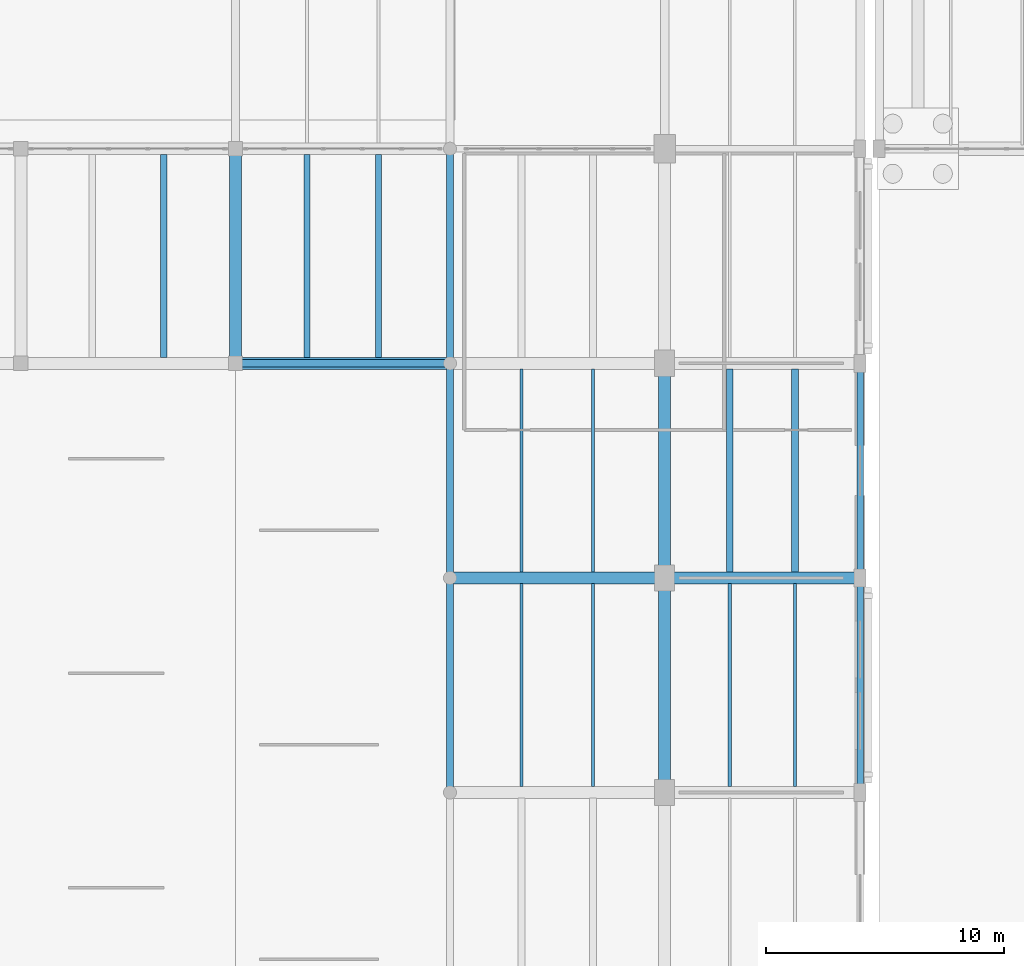
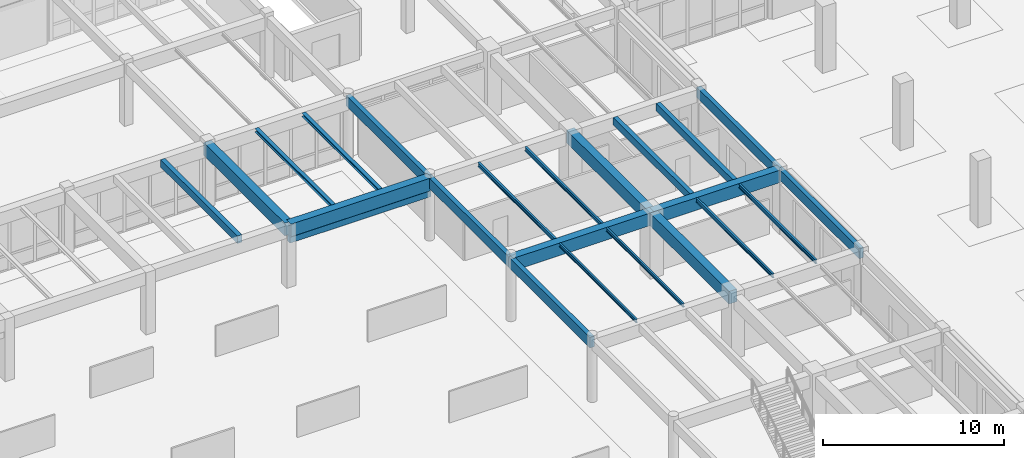
# One storey, part 85 of 186: 23 beams.
"""IFC4 building model written with IfcOpenShell, lengths in metres."""

from ifc_helpers import new_model, si_unit, direction, frame, origin, origin_2d, place, context, subcontext, project, spatial, rectangle, i_section, extrude, material, material_profile, profile_set, type_object, element, save


model = new_model("IFC4")

# Units and contexts
model_context = context("Model", 3, precision=1e-05, world=origin(), true_north=direction((0.0, 1.0)))
body_context = subcontext(model_context, "Body", "Model", "MODEL_VIEW")
ifc_project = project(units=[si_unit("LENGTHUNIT", "METRE"), si_unit("AREAUNIT", "SQUARE_METRE"), si_unit("VOLUMEUNIT", "CUBIC_METRE"), si_unit("PLANEANGLEUNIT", "RADIAN"), si_unit("MASSUNIT", "GRAM", prefix="KILO")], contexts=[model_context])

# Site, building, storey
site_placement = place(None, origin())
site = spatial("IfcSite", under=ifc_project, at=site_placement, CompositionType="ELEMENT")
building_placement = place(site_placement, origin())
building = spatial("IfcBuilding", under=site, at=building_placement, Name="Ornek Quay Market", CompositionType="ELEMENT")
storey_placement = place(building_placement, origin())
storey = spatial("IfcBuildingStorey", under=building, at=storey_placement, Name="L00", CompositionType="ELEMENT", Elevation=0.0)

# Beams
ifc_material_1 = material(Name="Concrete C40/50", Category="concrete")
ifc_material_profile_1 = material_profile(ifc_material_1, rectangle(XDim=0.5, YDim=0.85009765625, at=origin_2d()), Name="RC 500x850", Category="concrete")
ifc_profile_set_1 = profile_set([ifc_material_profile_1], Name="Concrete C40/50")
beam_type_1 = type_object("IfcBeamType", Name="BM-GAL-500x850", PredefinedType="BEAM", material=ifc_profile_set_1)
beam_1_placement = place(storey_placement, frame((108.0, 74.0, 3.81494140625), z_axis=(1.0, 0.0, 0.0), x_axis=(0.0, 1.0, 0.0)))
element("IfcBeam", 1, at=beam_1_placement, inside=storey, type_object=beam_type_1, Name="Primary beam B-GL1-036", PredefinedType="BEAM", context=body_context, shape_type="SweptSolid", body=[
    extrude(rectangle(XDim=0.5, YDim=0.85009765625, at=origin_2d()), origin(), (0.0, 0.0, 1.0), 9.0),
])
beam_2_placement = place(storey_placement, frame((117.0, 74.0, 3.81494140625), z_axis=(1.0, 0.0, 0.0), x_axis=(0.0, 1.0, 0.0)))
element("IfcBeam", 2, at=beam_2_placement, inside=storey, type_object=beam_type_1, Name="Primary beam B-GL1-037", PredefinedType="BEAM", context=body_context, shape_type="SweptSolid", body=[
    extrude(rectangle(XDim=0.5, YDim=0.85009765625, at=origin_2d()), origin(), (0.0, 0.0, 1.0), 8.199951171875),
])
for number, where, z_axis, x_axis, name in (
    (3, (117.0, 65.0, 3.81494140625), (0.0, 1.0, 0.0), (-1.0, 0.0, 0.0), "Primary beam B-GL1-044"),
    (4, (117.0, 74.0, 3.81494140625), (0.0, 1.0, 0.0), (-1.0, 0.0, 0.0), "Primary beam B-GL1-045"),
    (5, (99.0, 83.0, 3.81494140625), (1.0, 0.0, 0.0), (0.0, 1.0, 0.0), "Primary beam B-GL1-050"),
    (6, (99.0, 83.0, 3.81494140625), (0.0, 1.0, 0.0), (-1.0, 0.0, 0.0), "Primary beam B-GL1-057"),
):
    element("IfcBeam", number, at=place(storey_placement, frame(where, z_axis=z_axis, x_axis=x_axis)), inside=storey, type_object=beam_type_1, Name=name, PredefinedType="BEAM", context=body_context, shape_type="SweptSolid", body=[
        extrude(rectangle(XDim=0.5, YDim=0.85009765625, at=origin_2d()), origin(), (0.0, 0.0, 1.0), 9.0),
    ])
ifc_material_2 = material(Name="Precast concrete C40/50", Category="concrete")
ifc_material_profile_2 = material_profile(ifc_material_2, rectangle(XDim=0.300048828125, YDim=0.39990234375, at=origin_2d()), Name="RC 300x400", Category="concrete")
ifc_profile_set_2 = profile_set([ifc_material_profile_2], Name="Precast concrete C40/50")
beam_type_2 = type_object("IfcBeamType", Name="BM-LNT-300x400", PredefinedType="LINTEL", material=ifc_profile_set_2)
beam_3_placement = place(storey_placement, frame((99.0, 83.0, 3.10009765625), z_axis=(1.0, 0.0, 0.0), x_axis=(0.0, 1.0, 0.0)))
element("IfcBeam", 7, at=beam_3_placement, inside=storey, type_object=beam_type_2, Name="Market portal lintel LN-02", PredefinedType="LINTEL", context=body_context, shape_type="SweptSolid", body=[
    extrude(rectangle(XDim=0.300048828125, YDim=0.39990234375, at=origin_2d()), origin(), (0.0, 0.0, 1.0), 9.0),
])
ifc_material_3 = material(Name="Concrete C35/45", Category="concrete")
ifc_material_profile_3 = material_profile(ifc_material_3, rectangle(XDim=0.280029296875, YDim=0.5, at=origin_2d()), Name="RC 280x500", Category="concrete")
ifc_profile_set_3 = profile_set([ifc_material_profile_3], Name="Concrete C35/45")
beam_type_3 = type_object("IfcBeamType", Name="BM-SEC-280x500", PredefinedType="JOIST", material=ifc_profile_set_3)
for number, where, z_axis, x_axis, name in (
    (8, (119.7333984375, 74.241943359375, 3.989990234375), (0.0, 1.0, 0.0), (-1.0, 0.0, 0.0), "Secondary joist B-SC2-055"),
    (9, (122.466796875, 74.241943359375, 3.989990234375), (0.0, 1.0, 0.0), (-1.0, 0.0, 0.0), "Secondary joist B-SC2-056"),
    (10, (96.0, 83.241943359375, 3.989990234375), (0.0, 1.0, 0.0), (-1.0, 0.0, 0.0), "Secondary joist B-SC2-060"),
):
    element("IfcBeam", number, at=place(storey_placement, frame(where, z_axis=z_axis, x_axis=x_axis)), inside=storey, type_object=beam_type_3, Name=name, PredefinedType="JOIST", context=body_context, shape_type="SweptSolid", body=[
        extrude(rectangle(XDim=0.280029296875, YDim=0.5, at=origin_2d()), origin(), (0.0, 0.0, 1.0), 8.51611328125),
    ])
ifc_material_profile_4 = material_profile(ifc_material_3, rectangle(XDim=0.280029296875, YDim=0.699951171875, at=origin_2d()), Name="RC 280x700", Category="concrete")
ifc_profile_set_4 = profile_set([ifc_material_profile_4], Name="Concrete C35/45")
beam_type_4 = type_object("IfcBeamType", Name="BM-SPN-280x700", PredefinedType="SPANDREL", material=ifc_profile_set_4)
for number, where, z_axis, x_axis, name in (
    (11, (108.0, 65.0, 3.889892578125), (0.0, 1.0, 0.0), (-1.0, 0.0, 0.0), "Primary beam B-SP2-039"),
    (12, (108.0, 74.0, 3.889892578125), (0.0, 1.0, 0.0), (-1.0, 0.0, 0.0), "Primary beam B-SP2-040"),
    (13, (108.0, 83.0, 3.889892578125), (0.0, 1.0, 0.0), (-1.0, 0.0, 0.0), "Primary beam B-SP2-041"),
    (14, (125.199951171875, 65.0, 3.889892578125), (0.0, 1.0, 0.0), (-1.0, 0.0, 0.0), "Primary beam B-SP2-046"),
    (15, (125.199951171875, 74.0, 3.889892578125), (0.0, 1.0, 0.0), (-1.0, 0.0, 0.0), "Primary beam B-SP2-047"),
):
    element("IfcBeam", number, at=place(storey_placement, frame(where, z_axis=z_axis, x_axis=x_axis)), inside=storey, type_object=beam_type_4, Name=name, PredefinedType="SPANDREL", context=body_context, shape_type="SweptSolid", body=[
        extrude(rectangle(XDim=0.280029296875, YDim=0.699951171875, at=origin_2d()), origin(), (0.0, 0.0, 1.0), 9.0),
    ])
ifc_material_4 = material(Name="Steel S355", Category="steel")
ifc_material_profile_5 = material_profile(ifc_material_4, i_section(OverallWidth=0.239990234375, OverallDepth=0.22998046875, WebThickness=0.007568359375, FlangeThickness=0.011962890625, FilletRadius=0.02099609375, at=origin_2d()), Name="HEA 240", Category="steel")
ifc_profile_set_5 = profile_set([ifc_material_profile_5], Name="Steel S355")
beam_type_5 = type_object("IfcBeamType", Name="BM-STL-HEA240", PredefinedType="BEAM", material=ifc_profile_set_5)
for number, where, z_axis, x_axis, name in (
    (16, (102.0, 83.241943359375, 4.125), (0.0, 1.0, 0.0), (-1.0, 0.0, 0.0), "Secondary joist SB-14-013"),
    (17, (105.0, 83.241943359375, 4.125), (0.0, 1.0, 0.0), (-1.0, 0.0, 0.0), "Secondary joist SB-14-014"),
):
    element("IfcBeam", number, at=place(storey_placement, frame(where, z_axis=z_axis, x_axis=x_axis)), inside=storey, type_object=beam_type_5, Name=name, PredefinedType="BEAM", context=body_context, shape_type="SweptSolid", body=[
        extrude(i_section(OverallWidth=0.239990234375, OverallDepth=0.22998046875, WebThickness=0.007568359375, FlangeThickness=0.011962890625, FilletRadius=0.02099609375, at=origin_2d()), origin(), (0.0, 0.0, 1.0), 8.51611328125),
    ])
ifc_material_profile_6 = material_profile(ifc_material_4, i_section(OverallWidth=0.1201171875, OverallDepth=0.239990234375, WebThickness=0.006103515625, FlangeThickness=0.009765625, FilletRadius=0.014892578125, at=origin_2d()), Name="IPE 240", Category="steel")
ifc_profile_set_6 = profile_set([ifc_material_profile_6], Name="Steel S355")
beam_type_6 = type_object("IfcBeamType", Name="BM-STL-IPE240", PredefinedType="JOIST", material=ifc_profile_set_6)
for number, where, z_axis, x_axis, name in (
    (18, (111.0, 65.241943359375, 4.1201171875), (0.0, 1.0, 0.0), (-1.0, 0.0, 0.0), "Secondary joist SB-04-029"),
    (19, (114.0, 65.241943359375, 4.1201171875), (0.0, 1.0, 0.0), (-1.0, 0.0, 0.0), "Secondary joist SB-04-030"),
):
    element("IfcBeam", number, at=place(storey_placement, frame(where, z_axis=z_axis, x_axis=x_axis)), inside=storey, type_object=beam_type_6, Name=name, PredefinedType="JOIST", context=body_context, shape_type="SweptSolid", body=[
        extrude(i_section(OverallWidth=0.1201171875, OverallDepth=0.239990234375, WebThickness=0.006103515625, FlangeThickness=0.009765625, FilletRadius=0.014892578125, at=origin_2d()), origin(), (0.0, 0.0, 1.0), 8.51611328125),
    ])
ifc_material_profile_7 = material_profile(ifc_material_4, i_section(OverallWidth=0.135009765625, OverallDepth=0.27001953125, WebThickness=0.006591796875, FlangeThickness=0.01025390625, FilletRadius=0.014892578125, at=origin_2d()), Name="IPE 270", Category="steel")
ifc_profile_set_7 = profile_set([ifc_material_profile_7], Name="Steel S355")
beam_type_7 = type_object("IfcBeamType", Name="BM-STL-IPE270", PredefinedType="JOIST", material=ifc_profile_set_7)
for number, where, z_axis, x_axis, name in (
    (20, (111.0, 74.241943359375, 4.10498046875), (0.0, 1.0, 0.0), (-1.0, 0.0, 0.0), "Secondary joist SB-05-009"),
    (21, (114.0, 74.241943359375, 4.10498046875), (0.0, 1.0, 0.0), (-1.0, 0.0, 0.0), "Secondary joist SB-05-010"),
    (22, (119.7333984375, 65.241943359375, 4.10498046875), (0.0, 1.0, 0.0), (-1.0, 0.0, 0.0), "Secondary joist SB-05-013"),
    (23, (122.466796875, 65.241943359375, 4.10498046875), (0.0, 1.0, 0.0), (-1.0, 0.0, 0.0), "Secondary joist SB-05-014"),
):
    element("IfcBeam", number, at=place(storey_placement, frame(where, z_axis=z_axis, x_axis=x_axis)), inside=storey, type_object=beam_type_7, Name=name, PredefinedType="JOIST", context=body_context, shape_type="SweptSolid", body=[
        extrude(i_section(OverallWidth=0.135009765625, OverallDepth=0.27001953125, WebThickness=0.006591796875, FlangeThickness=0.01025390625, FilletRadius=0.014892578125, at=origin_2d()), origin(), (0.0, 0.0, 1.0), 8.51611328125),
    ])

save(model, "model.ifc")
